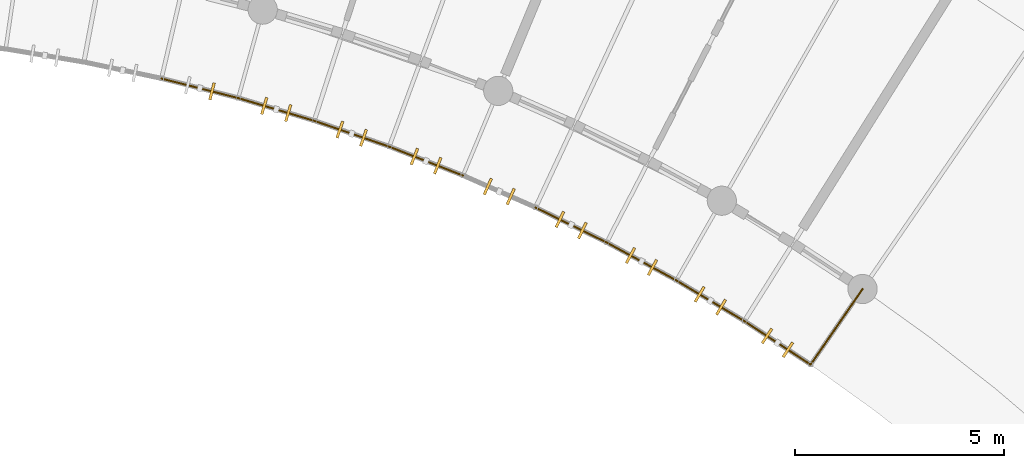
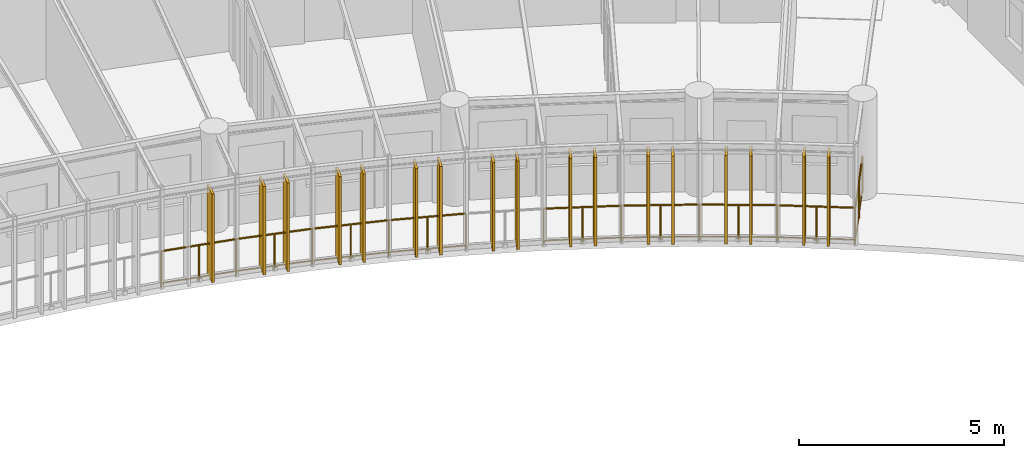
# One storey, part 98 of 100: 17 shading devices, 9 railings.
"""IFC4 building model written with IfcOpenShell, lengths in metres."""

import ifcopenshell
import ifcopenshell.guid

model = None  # the IFC model being written
_history = None  # IfcOwnerHistory: only IFC2X3 demands one
_inside = {}  # id of a spatial element -> (the spatial element, [elements in it])
_under = {}  # id of a project, library or spatial element -> (it, [spatial elements below it])
_declared = {}  # id of a project -> (the project, [libraries it declares])
_typed = {}  # id of a type object -> (the type object, [elements of that type])
_made_of = {}  # id of a material, layer set ... -> (it, [elements and type objects made of it])


def new_model(schema):
    """Start an empty IFC model of exactly this schema.

    Asked for "IFC4X3", IfcOpenShell would pick the latest addendum, in which some entities
    have other attributes; the version numbers below select the first issue.
    IFC2X3 requires an IfcOwnerHistory on every rooted entity: one is made here for all.
    """
    global model, _history
    if schema == "IFC4X3":
        model = ifcopenshell.file(schema_version=(4, 3, 0, 0))
    else:
        model = ifcopenshell.file(schema=schema)
    _inside.clear()
    _under.clear()
    _declared.clear()
    _typed.clear()
    _made_of.clear()
    _history = None
    if model.schema == "IFC2X3":
        org = make("IfcOrganization", Name="unknown")
        user = make(
            "IfcPersonAndOrganization",
            ThePerson=make("IfcPerson", FamilyName="unknown"),
            TheOrganization=org,
        )
        app = make(
            "IfcApplication",
            ApplicationDeveloper=org,
            Version="unknown",
            ApplicationFullName="unknown",
            ApplicationIdentifier="unknown",
        )
        _history = make(
            "IfcOwnerHistory",
            OwningUser=user,
            OwningApplication=app,
            ChangeAction="ADDED",
            CreationDate=0,
        )
    return model


def make(cls, **values):
    """One entity of the class cls with the attributes given. An attribute that is None is left unset."""
    return model.create_entity(
        cls, **{name: value for name, value in values.items() if value is not None}
    )


def rooted(cls, **values):
    """An entity with a GlobalId (a new one), such as an element, a storey or a relation."""
    return make(cls, GlobalId=ifcopenshell.guid.new(), OwnerHistory=_history, **values)


def si_unit(unit_type, name, prefix=None):
    """IfcSIUnit, for example si_unit("LENGTHUNIT", "METRE", prefix="MILLI")."""
    return make("IfcSIUnit", UnitType=unit_type, Prefix=prefix, Name=name)


def assignment(units):
    """IfcUnitAssignment: the units of a project."""
    return None if units is None else make("IfcUnitAssignment", Units=units)


def point(xyz):
    """IfcCartesianPoint."""
    return None if xyz is None else make("IfcCartesianPoint", Coordinates=xyz)


def direction(xyz):
    """IfcDirection."""
    return None if xyz is None else make("IfcDirection", DirectionRatios=xyz)


def frame(location, z_axis=None, x_axis=None):
    """IfcAxis2Placement3D, a coordinate frame: its origin and axes. An axis left out is left unset."""
    return make(
        "IfcAxis2Placement3D",
        Location=point(location),
        Axis=direction(z_axis),
        RefDirection=direction(x_axis),
    )


def frame_2d(location, x_axis=None):
    """IfcAxis2Placement2D, a coordinate frame in the plane: its origin and x axis."""
    return make(
        "IfcAxis2Placement2D", Location=point(location), RefDirection=direction(x_axis)
    )


def origin():
    """The frame at (0, 0, 0) with its axes left unset."""
    return frame((0.0, 0.0, 0.0))


def origin_2d():
    """The frame at (0, 0) in the plane with its x axis left unset."""
    return frame_2d((0.0, 0.0))


def place(relative_to, where):
    """IfcLocalPlacement: puts the frame where relative to a parent placement (None: the world)."""
    return make(
        "IfcLocalPlacement", PlacementRelTo=relative_to, RelativePlacement=where
    )


def context(
    kind, dimensions, precision=None, world=None, true_north=None, identifier=None
):
    """IfcGeometricRepresentationContext, for example the 3D "Model" context."""
    return make(
        "IfcGeometricRepresentationContext",
        ContextIdentifier=identifier,
        ContextType=kind,
        CoordinateSpaceDimension=dimensions,
        Precision=precision,
        WorldCoordinateSystem=world,
        TrueNorth=true_north,
    )


def subcontext(parent, identifier, kind, view, scale=None):
    """IfcGeometricRepresentationSubContext, for example "Body" below "Model"."""
    return make(
        "IfcGeometricRepresentationSubContext",
        ContextIdentifier=identifier,
        ContextType=kind,
        ParentContext=parent,
        TargetScale=scale,
        TargetView=view,
    )


def project(units=None, contexts=None):
    """IfcProject with its units and contexts."""
    return rooted(
        "IfcProject",
        Name="project",
        RepresentationContexts=contexts,
        UnitsInContext=assignment(units),
    )


def spatial(cls, under=None, at=None, **own):
    """A site, building, storey or space (cls), placed at a placement, below another one or the project."""
    s = rooted(cls, ObjectPlacement=at, **own)
    if under is not None:
        _under.setdefault(under.id(), (under, []))[1].append(s)
    return s


def profile(cls, at=None, kind="AREA", **sizes):
    """A parametric profile (cls). Its sizes go by their IFC names, for example OverallWidth=200.0."""
    return make(cls, ProfileType=kind, Position=at, **sizes)


def rectangle(**sizes):
    """IfcRectangleProfileDef."""
    return profile("IfcRectangleProfileDef", **sizes)


def circle(**sizes):
    """IfcCircleProfileDef."""
    return profile("IfcCircleProfileDef", **sizes)


def extrude(swept, where, along, depth):
    """IfcExtrudedAreaSolid: the profile swept, set in the frame where, extruded along a direction by depth."""
    return make(
        "IfcExtrudedAreaSolid",
        SweptArea=swept,
        Position=where,
        ExtrudedDirection=direction(along),
        Depth=depth,
    )


def shape(context_of_items, identifier, shape_type, items):
    """IfcShapeRepresentation: the items that make up one representation, for example the "Body"."""
    return make(
        "IfcShapeRepresentation",
        ContextOfItems=context_of_items,
        RepresentationIdentifier=identifier,
        RepresentationType=shape_type,
        Items=items,
    )


def material(Name=None, Category=None):
    """IfcMaterial."""
    return make("IfcMaterial", Name=Name, Category=Category)


def layer(
    of_material, thickness, ventilated=None, Name=None, Category=None, Priority=None
):
    """IfcMaterialLayer: one layer of a wall or slab, of a material (None: an air gap)."""
    return make(
        "IfcMaterialLayer",
        Material=of_material,
        LayerThickness=thickness,
        IsVentilated=ventilated,
        Name=Name,
        Category=Category,
        Priority=Priority,
    )


def layer_set(layers, Name=None):
    """IfcMaterialLayerSet."""
    return make("IfcMaterialLayerSet", MaterialLayers=layers, LayerSetName=Name)


def made_of(thing, what):
    """Note that an element or type object is made of a material, layer set ...; save() writes the relation."""
    if what is not None:
        _made_of.setdefault(what.id(), (what, []))[1].append(thing)
    return thing


def type_object(cls, material=None, **own):
    """A type object (cls), such as IfcWallType, which elements share."""
    return made_of(rooted(cls, **own), material)


def element(
    cls,
    number,
    at=None,
    inside=None,
    cuts=None,
    type_object=None,
    material=None,
    context=None,
    identifier="Body",
    shape_type=None,
    held_by="IfcProductDefinitionShape",
    body=None,
    shapes=None,
    **own,
):
    """One element of the class cls, such as IfcWall. Its Tag is "e" and its number.

    at: its placement. inside: the storey or other place that contains it. cuts: it is an
    opening in that element (IfcRelVoidsElement). A single representation is given by context,
    identifier, shape_type and body (its items); several are given by shapes. held_by: the class
    of the entity that holds the representations. save() writes the other relations.
    """
    e = rooted(cls, Tag="e%d" % number, ObjectPlacement=at, **own)
    if body is not None:
        shapes = [shape(context, identifier, shape_type, body)]
    if shapes is not None:
        e.Representation = make(held_by, Representations=shapes)
    if inside is not None:
        _inside.setdefault(inside.id(), (inside, []))[1].append(e)
    if cuts is not None:
        rooted(
            "IfcRelVoidsElement", RelatingBuildingElement=cuts, RelatedOpeningElement=e
        )
    if type_object is not None:
        _typed.setdefault(type_object.id(), (type_object, []))[1].append(e)
    return made_of(e, material)


def aggregate(whole, parts):
    """IfcRelAggregates: a whole, such as a stair, and the parts it consists of."""
    return rooted("IfcRelAggregates", RelatingObject=whole, RelatedObjects=parts)


def save(model, path):
    """Write the relations noted so far, then the file.

    IfcRelAggregates (storeys below a building ...), IfcRelContainedInSpatialStructure (elements
    in a storey), IfcRelDefinesByType, IfcRelAssociatesMaterial and IfcRelDeclares: one each for
    every whole, place, type object, material and project.
    """
    for whole, parts in _under.values():
        aggregate(whole, parts)
    for where, things in _inside.values():
        rooted(
            "IfcRelContainedInSpatialStructure",
            RelatedElements=things,
            RelatingStructure=where,
        )
    for kind, things in _typed.values():
        rooted("IfcRelDefinesByType", RelatedObjects=things, RelatingType=kind)
    for what, things in _made_of.values():
        rooted("IfcRelAssociatesMaterial", RelatedObjects=things, RelatingMaterial=what)
    for by, libraries in _declared.values():
        rooted("IfcRelDeclares", RelatingContext=by, RelatedDefinitions=libraries)
    model.write(path)


model = new_model("IFC4")

# Units and contexts
model_context = context("Model", 3, precision=1e-05, world=origin(), true_north=direction((0.0, 1.0)))
body_context = subcontext(model_context, "Body", "Model", "MODEL_VIEW")
ifc_project = project(units=[si_unit("LENGTHUNIT", "METRE"), si_unit("AREAUNIT", "SQUARE_METRE"), si_unit("VOLUMEUNIT", "CUBIC_METRE"), si_unit("PLANEANGLEUNIT", "RADIAN"), si_unit("MASSUNIT", "GRAM", prefix="KILO"), si_unit("POWERUNIT", "WATT"), si_unit("THERMODYNAMICTEMPERATUREUNIT", "KELVIN")], contexts=[model_context])

# Site, building, storey
site_placement = place(None, origin())
site = spatial("IfcSite", under=ifc_project, at=site_placement, CompositionType="ELEMENT")
building_placement = place(site_placement, origin())
building = spatial("IfcBuilding", under=site, at=building_placement, Name="Ruvembo Vaulted Housing Court", CompositionType="ELEMENT")
storey_placement = place(building_placement, frame((0.0, 0.0, 10.89990234375)))
storey = spatial("IfcBuildingStorey", under=building, at=storey_placement, Name="L03", CompositionType="ELEMENT", Elevation=10.89990234375)

# Railings
ifc_material_1 = material(Name="Galvanised Painted Steel S275", Category="steel")
ifc_layer = layer(ifc_material_1, 0.06005859375, Name="Galvanised Painted Steel S275")
ifc_layer_set = layer_set([ifc_layer], Name="Galvanised Painted Steel S275")
railing_type = type_object("IfcRailingType", Name="RL-GUARD-1100", PredefinedType="GUARDRAIL", material=ifc_layer_set)
railing_1_placement = place(storey_placement, frame((127.365966796875, 94.611572265625, 0.0)))
element("IfcRailing", 1, at=railing_1_placement, inside=storey, type_object=railing_type, Name="L03 Perimeter Guard RL-EXT-L03-0683", PredefinedType="GUARDRAIL", context=body_context, shape_type="SweptSolid", body=[
    extrude(circle(Radius=0.02392578125, at=origin_2d()), frame((0.0, 0.0, 1.076171875), z_axis=(0.969121730429, -0.246582788553, 0.0), x_axis=(0.246582788553, 0.969121730429, 0.0)), (0.0, 0.0, 1.0), 1.90087890625),
    extrude(circle(Radius=0.01806640625, at=origin_2d()), frame((0.0, 0.0, 0.1201171875), z_axis=(0.969121730429, -0.246582788553, 0.0), x_axis=(0.246582788553, 0.969121730429, 0.0)), (0.0, 0.0, 1.0), 1.90087890625),
    extrude(circle(Radius=0.02099609375, at=origin_2d()), origin(), (0.0, 0.0, 1.0), 1.052001953125),
    extrude(circle(Radius=0.02099609375, at=origin_2d()), frame((0.921142578125, -0.234375, 0.0)), (0.0, 0.0, 1.0), 1.052001953125),
    extrude(circle(Radius=0.02099609375, at=origin_2d()), frame((1.84228515625, -0.46875, 0.0)), (0.0, 0.0, 1.0), 1.052001953125),
])
railing_2_placement = place(storey_placement, frame((129.208251953125, 94.142822265625, 0.0)))
element("IfcRailing", 2, at=railing_2_placement, inside=storey, type_object=railing_type, Name="L03 Perimeter Guard RL-EXT-L03-0684", PredefinedType="GUARDRAIL", context=body_context, shape_type="SweptSolid", body=[
    extrude(circle(Radius=0.02392578125, at=origin_2d()), frame((0.0, 0.0, 1.076171875), z_axis=(0.958108609181, -0.286405120439, 0.0), x_axis=(0.286405120439, 0.958108609181, 0.0)), (0.0, 0.0, 1.0), 1.90087890625),
    extrude(circle(Radius=0.01806640625, at=origin_2d()), frame((0.0, 0.0, 0.1201171875), z_axis=(0.958108609181, -0.286405120439, 0.0), x_axis=(0.286405120439, 0.958108609181, 0.0)), (0.0, 0.0, 1.0), 1.90087890625),
    extrude(circle(Radius=0.02099609375, at=origin_2d()), origin(), (0.0, 0.0, 1.0), 1.052001953125),
    extrude(circle(Radius=0.02099609375, at=origin_2d()), frame((0.91064453125, -0.272216796875, 0.0)), (0.0, 0.0, 1.0), 1.052001953125),
    extrude(circle(Radius=0.02099609375, at=origin_2d()), frame((1.8212890625, -0.54443359375, 0.0)), (0.0, 0.0, 1.0), 1.052001953125),
])
railing_3_placement = place(storey_placement, frame((131.029541015625, 93.598388671875, 0.0)))
element("IfcRailing", 3, at=railing_3_placement, inside=storey, type_object=railing_type, Name="L03 Perimeter Guard RL-EXT-L03-0685", PredefinedType="GUARDRAIL", context=body_context, shape_type="SweptSolid", body=[
    extrude(circle(Radius=0.02392578125, at=origin_2d()), frame((0.0, 0.0, 1.076171875), z_axis=(0.945357969834, -0.326034214264, 0.0), x_axis=(0.326034214264, 0.945357969834, 0.0)), (0.0, 0.0, 1.0), 1.9013671875),
    extrude(circle(Radius=0.01806640625, at=origin_2d()), frame((0.0, 0.0, 0.1201171875), z_axis=(0.945357969834, -0.326034214264, 0.0), x_axis=(0.326034214264, 0.945357969834, 0.0)), (0.0, 0.0, 1.0), 1.9013671875),
    extrude(circle(Radius=0.02099609375, at=origin_2d()), origin(), (0.0, 0.0, 1.0), 1.052001953125),
    extrude(circle(Radius=0.02099609375, at=origin_2d()), frame((0.898681640625, -0.31005859375, 0.0)), (0.0, 0.0, 1.0), 1.052001953125),
    extrude(circle(Radius=0.02099609375, at=origin_2d()), frame((1.79736328125, -0.619873046875, 0.0)), (0.0, 0.0, 1.0), 1.052001953125),
])
railing_4_placement = place(storey_placement, frame((132.826904296875, 92.978515625, 0.0)))
element("IfcRailing", 4, at=railing_4_placement, inside=storey, type_object=railing_type, Name="L03 Perimeter Guard RL-EXT-L03-0686", PredefinedType="GUARDRAIL", context=body_context, shape_type="SweptSolid", body=[
    extrude(circle(Radius=0.02392578125, at=origin_2d()), frame((0.0, 0.0, 1.076171875), z_axis=(0.931005720133, -0.365004587752, 0.0), x_axis=(0.365004587752, 0.931005720133, 0.0)), (0.0, 0.0, 1.0), 1.90087890625),
    extrude(circle(Radius=0.01806640625, at=origin_2d()), frame((0.0, 0.0, 0.1201171875), z_axis=(0.931005720133, -0.365004587752, 0.0), x_axis=(0.365004587752, 0.931005720133, 0.0)), (0.0, 0.0, 1.0), 1.90087890625),
    extrude(circle(Radius=0.02099609375, at=origin_2d()), origin(), (0.0, 0.0, 1.0), 1.052001953125),
    extrude(circle(Radius=0.02099609375, at=origin_2d()), frame((0.884765625, -0.346923828125, 0.0)), (0.0, 0.0, 1.0), 1.052001953125),
    extrude(circle(Radius=0.02099609375, at=origin_2d()), frame((1.769775390625, -0.69384765625, 0.0)), (0.0, 0.0, 1.0), 1.052001953125),
])
railing_5_placement = place(storey_placement, frame((136.336181640625, 91.51806640625, 0.0)))
element("IfcRailing", 5, at=railing_5_placement, inside=storey, type_object=railing_type, Name="L03 Perimeter Guard RL-EXT-L03-0688", PredefinedType="GUARDRAIL", context=body_context, shape_type="SweptSolid", body=[
    extrude(circle(Radius=0.02392578125, at=origin_2d()), frame((0.0, 0.0, 1.076171875), z_axis=(0.897513310314, -0.44098736695, 0.0), x_axis=(0.44098736695, 0.897513310314, 0.0)), (0.0, 0.0, 1.0), 1.901123046875),
    extrude(circle(Radius=0.01806640625, at=origin_2d()), frame((0.0, 0.0, 0.1201171875), z_axis=(0.897513310314, -0.44098736695, 0.0), x_axis=(0.44098736695, 0.897513310314, 0.0)), (0.0, 0.0, 1.0), 1.901123046875),
    extrude(circle(Radius=0.02099609375, at=origin_2d()), origin(), (0.0, 0.0, 1.0), 1.052001953125),
    extrude(circle(Radius=0.02099609375, at=origin_2d()), frame((0.85302734375, -0.419189453125, 0.0)), (0.0, 0.0, 1.0), 1.052001953125),
    extrude(circle(Radius=0.02099609375, at=origin_2d()), frame((1.706298828125, -0.83837890625, 0.0)), (0.0, 0.0, 1.0), 1.052001953125),
])
railing_6_placement = place(storey_placement, frame((138.04248046875, 90.6796875, 0.0)))
element("IfcRailing", 6, at=railing_6_placement, inside=storey, type_object=railing_type, Name="L03 Perimeter Guard RL-EXT-L03-0689", PredefinedType="GUARDRAIL", context=body_context, shape_type="SweptSolid", body=[
    extrude(circle(Radius=0.02392578125, at=origin_2d()), frame((0.0, 0.0, 1.076171875), z_axis=(0.878513214386, -0.477718046706, 0.0), x_axis=(0.477718046706, 0.878513214386, 0.0)), (0.0, 0.0, 1.0), 1.901123046875),
    extrude(circle(Radius=0.01806640625, at=origin_2d()), frame((0.0, 0.0, 0.1201171875), z_axis=(0.878513214386, -0.477718046706, 0.0), x_axis=(0.477718046706, 0.878513214386, 0.0)), (0.0, 0.0, 1.0), 1.901123046875),
    extrude(circle(Radius=0.02099609375, at=origin_2d()), origin(), (0.0, 0.0, 1.0), 1.052001953125),
    extrude(circle(Radius=0.02099609375, at=origin_2d()), frame((0.8349609375, -0.4541015625, 0.0)), (0.0, 0.0, 1.0), 1.052001953125),
    extrude(circle(Radius=0.02099609375, at=origin_2d()), frame((1.670166015625, -0.908203125, 0.0)), (0.0, 0.0, 1.0), 1.052001953125),
])
railing_7_placement = place(storey_placement, frame((139.712646484375, 89.771484375, 0.0)))
element("IfcRailing", 7, at=railing_7_placement, inside=storey, type_object=railing_type, Name="L03 Perimeter Guard RL-EXT-L03-0690", PredefinedType="GUARDRAIL", context=body_context, shape_type="SweptSolid", body=[
    extrude(circle(Radius=0.02392578125, at=origin_2d()), frame((0.0, 0.0, 1.076171875), z_axis=(0.857889282303, -0.513834583607, 0.0), x_axis=(0.513834583607, 0.857889282303, 0.0)), (0.0, 0.0, 1.0), 1.901123046875),
    extrude(circle(Radius=0.01806640625, at=origin_2d()), frame((0.0, 0.0, 0.1201171875), z_axis=(0.857889282303, -0.513834583607, 0.0), x_axis=(0.513834583607, 0.857889282303, 0.0)), (0.0, 0.0, 1.0), 1.901123046875),
    extrude(circle(Radius=0.02099609375, at=origin_2d()), origin(), (0.0, 0.0, 1.0), 1.052001953125),
    extrude(circle(Radius=0.02099609375, at=origin_2d()), frame((0.8154296875, -0.48828125, 0.0)), (0.0, 0.0, 1.0), 1.052001953125),
    extrude(circle(Radius=0.02099609375, at=origin_2d()), frame((1.630859375, -0.976806640625, 0.0)), (0.0, 0.0, 1.0), 1.052001953125),
])
railing_8_placement = place(storey_placement, frame((141.343505859375, 88.794677734375, 0.0)))
element("IfcRailing", 8, at=railing_8_placement, inside=storey, type_object=railing_type, Name="L03 Perimeter Guard RL-EXT-L03-0691", PredefinedType="GUARDRAIL", context=body_context, shape_type="SweptSolid", body=[
    extrude(circle(Radius=0.02392578125, at=origin_2d()), frame((0.0, 0.0, 1.076171875), z_axis=(0.835902452778, -0.548878027834, 0.0), x_axis=(0.548878027834, 0.835902452778, 0.0)), (0.0, 0.0, 1.0), 1.901123046875),
    extrude(circle(Radius=0.01806640625, at=origin_2d()), frame((0.0, 0.0, 0.1201171875), z_axis=(0.835902452778, -0.548878027834, 0.0), x_axis=(0.548878027834, 0.835902452778, 0.0)), (0.0, 0.0, 1.0), 1.901123046875),
    extrude(circle(Radius=0.02099609375, at=origin_2d()), origin(), (0.0, 0.0, 1.0), 1.052001953125),
    extrude(circle(Radius=0.02099609375, at=origin_2d()), frame((0.79443359375, -0.521728515625, 0.0)), (0.0, 0.0, 1.0), 1.052001953125),
    extrude(circle(Radius=0.02099609375, at=origin_2d()), frame((1.589111328125, -1.04345703125, 0.0)), (0.0, 0.0, 1.0), 1.052001953125),
])
railing_9_placement = place(storey_placement, frame((142.9326171875, 87.751220703125, 0.0)))
element("IfcRailing", 9, at=railing_9_placement, inside=storey, type_object=railing_type, Name="L03 Perimeter Guard RL-EXT-L03-0692", PredefinedType="GUARDRAIL", context=body_context, shape_type="SweptSolid", body=[
    extrude(circle(Radius=0.02392578125, at=origin_2d()), frame((0.0, 0.0, 1.076171875), z_axis=(0.566222630619, 0.82425234763, 0.0), x_axis=(-0.82425234763, 0.566222630619, 0.0)), (0.0, 0.0, 1.0), 2.199951171875),
    extrude(circle(Radius=0.01806640625, at=origin_2d()), frame((0.0, 0.0, 0.1201171875), z_axis=(0.566222630619, 0.82425234763, 0.0), x_axis=(-0.82425234763, 0.566222630619, 0.0)), (0.0, 0.0, 1.0), 2.199951171875),
    extrude(circle(Radius=0.02099609375, at=origin_2d()), origin(), (0.0, 0.0, 1.0), 1.052001953125),
    extrude(circle(Radius=0.02099609375, at=origin_2d()), frame((0.622802734375, 0.90673828125, 0.0)), (0.0, 0.0, 1.0), 1.052001953125),
    extrude(circle(Radius=0.02099609375, at=origin_2d()), frame((1.24560546875, 1.813232421875, 0.0)), (0.0, 0.0, 1.0), 1.052001953125),
])

# Shading devices
ifc_material_2 = material(Name="Kiln-Fired Terracotta Extrusion", Category="masonry")
shading_device_type = type_object("IfcShadingDeviceType", Name="SHD-FIN-420", PredefinedType="USERDEFINED", material=ifc_material_2)
for number, where, z_axis, x_axis, name in (
    (10, (128.577880859375, 94.30322265625, 0.05029296875), (0.0, 0.0, 1.0), (-0.246491603437, -0.969144926951, 0.0), "Terracotta Brise-Soleil Fin #628"),
    (11, (129.83154296875, 93.95654296875, 0.05029296875), (0.0, 0.0, 1.0), (-0.2864911095, -0.958082900472, 0.0), "Terracotta Brise-Soleil Fin #629"),
    (12, (130.406494140625, 93.78466796875, 0.05029296875), (0.0, 0.0, 1.0), (-0.2864911095, -0.958082900472, 0.0), "Terracotta Brise-Soleil Fin #630"),
    (13, (131.64453125, 93.38623046875, 0.05029296875), (0.0, 0.0, 1.0), (-0.326030183107, -0.945359360087, 0.0), "Terracotta Brise-Soleil Fin #631"),
    (14, (132.2119140625, 93.190673828125, 0.05029296875), (0.0, 0.0, 1.0), (-0.326030183107, -0.945359360087, 0.0), "Terracotta Brise-Soleil Fin #632"),
    (15, (133.432373046875, 92.7412109375, 0.05029296875), (0.0, 0.0, 1.0), (-0.364958032896, -0.931023970811, 0.0), "Terracotta Brise-Soleil Fin #633"),
    (16, (133.9912109375, 92.522216796875, 0.05029296875), (0.0, 0.0, 1.0), (-0.364958032896, -0.931023970811, 0.0), "Terracotta Brise-Soleil Fin #634"),
    (17, (135.19189453125, 92.022216796875, 0.05029296875), (0.0, 0.0, 1.0), (-0.403305746645, -0.915065284405, 0.0), "Terracotta Brise-Soleil Fin #635"),
    (18, (135.740966796875, 91.780517578125, 0.05029296875), (0.0, 0.0, 1.0), (-0.403305746645, -0.915065284405, 0.0), "Terracotta Brise-Soleil Fin #636"),
    (19, (136.920166015625, 91.231201171875, 0.05029296875), (0.0, 0.0, 1.0), (-0.440910671447, -0.897550990086, 0.0), "Terracotta Brise-Soleil Fin #637"),
    (20, (137.458740234375, 90.966552734375, 0.05029296875), (0.0, 0.0, 1.0), (-0.440910671447, -0.897550990086, 0.0), "Terracotta Brise-Soleil Fin #638"),
    (21, (138.614013671875, 90.368896484375, 0.05029296875), (0.0, 0.0, 1.0), (-0.477787506376, -0.878475440038, 0.0), "Terracotta Brise-Soleil Fin #639"),
    (22, (139.14111328125, 90.082275390625, 0.05029296875), (0.0, 0.0, 1.0), (-0.477787506376, -0.878475440038, 0.0), "Terracotta Brise-Soleil Fin #640"),
    (23, (140.270751953125, 89.437255859375, 0.05029296875), (0.0, 0.0, 1.0), (-0.513825768915, -0.857894561819, 0.0), "Terracotta Brise-Soleil Fin #641"),
    (24, (140.785400390625, 89.12890625, 0.05029296875), (0.0, 0.0, 1.0), (-0.513825768915, -0.857894561819, 0.0), "Terracotta Brise-Soleil Fin #642"),
    (25, (141.88720703125, 88.4375, 0.05029296875), (0.0, 0.0, 1.0), (-0.548964466299, -0.835845688355, 0.0), "Terracotta Brise-Soleil Fin #643"),
    (26, (142.388916015625, 88.108154296875, 0.05029296875), (0.0, 0.0, 1.0), (-0.548964466299, -0.835845688355, 0.0), "Terracotta Brise-Soleil Fin #644"),
):
    element("IfcShadingDevice", number, at=place(storey_placement, frame(where, z_axis=z_axis, x_axis=x_axis)), inside=storey, type_object=shading_device_type, Name=name, ObjectType="FIN", PredefinedType="USERDEFINED", context=body_context, shape_type="SweptSolid", body=[
        extrude(rectangle(XDim=0.419921875, YDim=0.06494140625, at=origin_2d()), origin(), (0.0, 0.0, 1.0), 2.633056640625),
    ])

save(model, "model.ifc")
